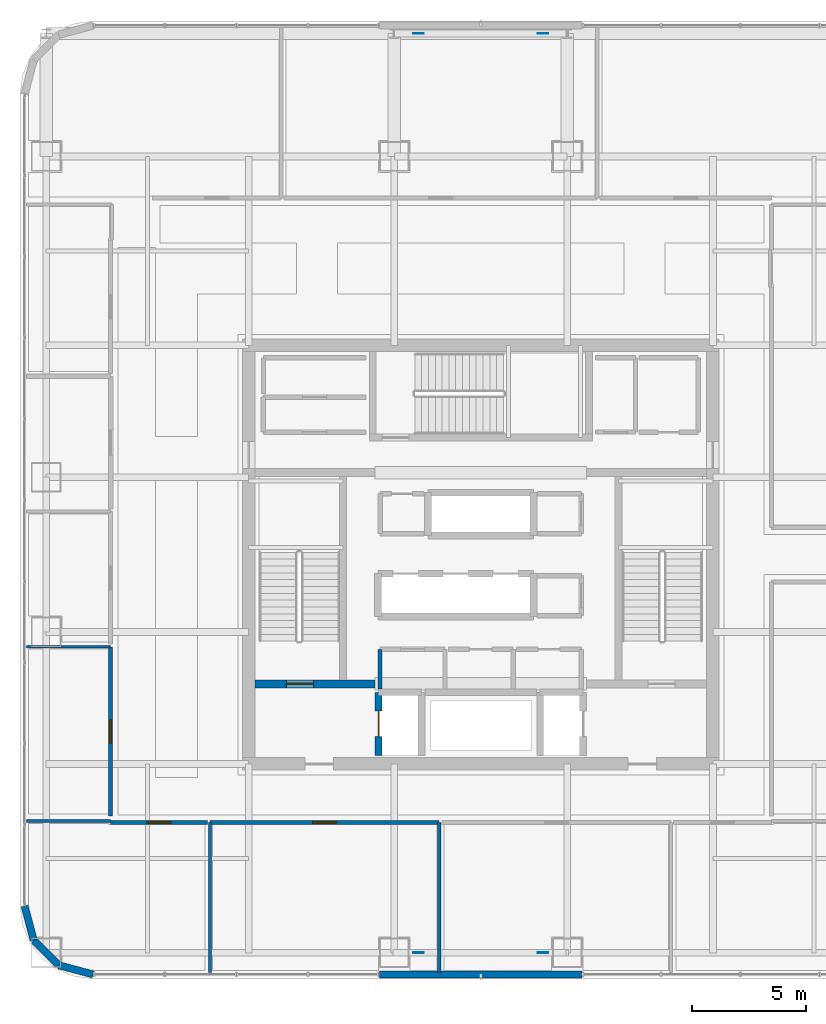
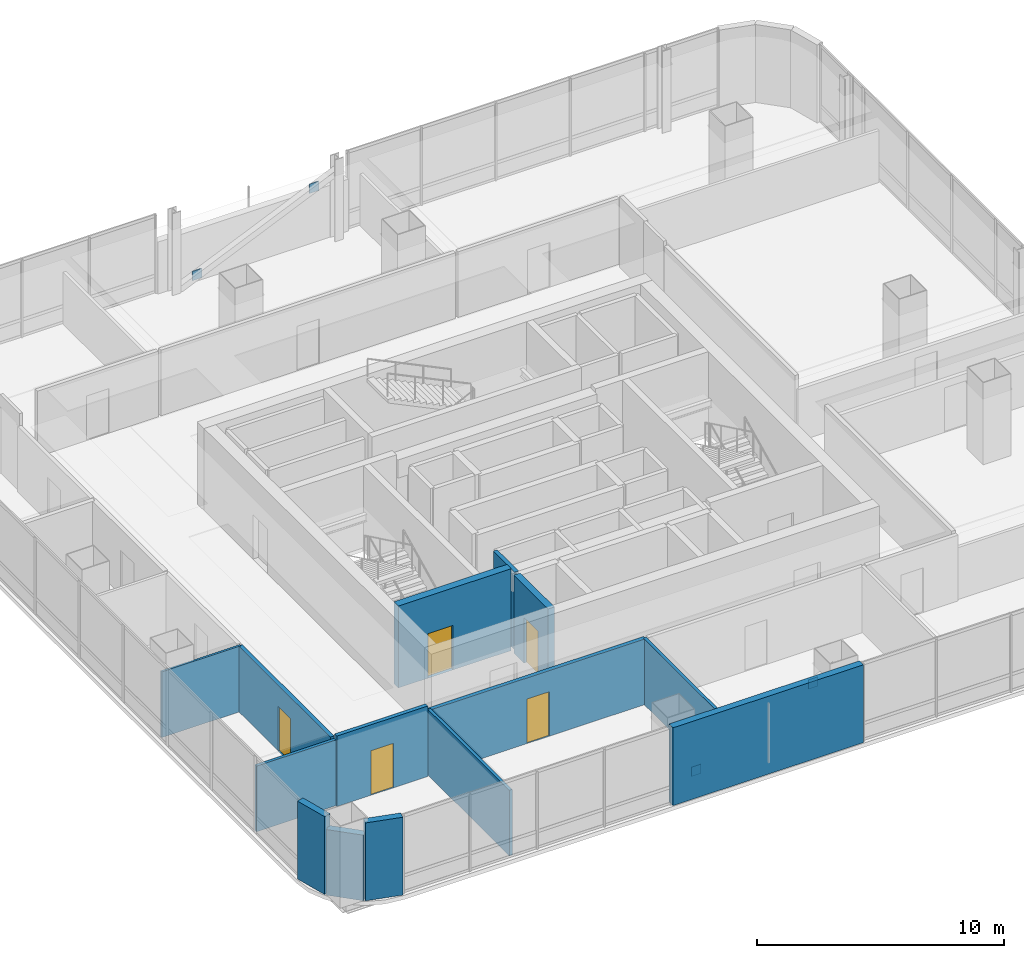
# One storey, part 31 of 44: 14 walls, 5 doors, 4 plates, 5 openings.
"""IFC4 building model written with IfcOpenShell, lengths in metres."""

from ifc_helpers import new_model, si_unit, direction, frame, frame_2d, origin, origin_2d, place, context, subcontext, project, spatial, rectangle, extrude, material, layer, layer_set, type_object, element, fill, save


model = new_model("IFC4")

# Units and contexts
model_context = context("Model", 3, precision=1e-05, world=origin(), true_north=direction((0.0, 1.0)))
body_context = subcontext(model_context, "Body", "Model", "MODEL_VIEW")
ifc_project = project(units=[si_unit("LENGTHUNIT", "METRE"), si_unit("AREAUNIT", "SQUARE_METRE"), si_unit("VOLUMEUNIT", "CUBIC_METRE"), si_unit("PLANEANGLEUNIT", "RADIAN"), si_unit("MASSUNIT", "GRAM", prefix="KILO")], contexts=[model_context])

# Site, building, storey
site_placement = place(None, origin())
site = spatial("IfcSite", under=ifc_project, at=site_placement, CompositionType="ELEMENT")
building_placement = place(site_placement, origin())
building = spatial("IfcBuilding", under=site, at=building_placement, Name="Punatoya Terracotta Tower", CompositionType="ELEMENT")
storey_placement = place(building_placement, frame((0.0, 0.0, 267.60009765625)))
storey = spatial("IfcBuildingStorey", under=building, at=storey_placement, Name="L63", CompositionType="ELEMENT", Elevation=267.60009765625)

# Plates
ifc_material_1 = material(Name="Steel S460", Category="steel")
ifc_layer_1 = layer(ifc_material_1, 0.031982421875)
ifc_layer_set_1 = layer_set([ifc_layer_1], Name="Steel S460")
plate_type = type_object("IfcPlateType", Name="PLT-END-32", PredefinedType="USERDEFINED", material=ifc_layer_set_1)
for number, where, z_axis, x_axis, name in (
    (1, (-2.736083984375, -17.5, 0.256103515625), (0.0, 0.0, 1.0), (1.0, 0.0, 0.0), "L63 Wind Brace S2 End Plate 1"),
    (2, (2.736083984375, -17.5, 2.65380859375), (0.0, 0.0, 1.0), (1.0, 0.0, 0.0), "L63 Wind Brace S2 End Plate 2"),
    (3, (-2.736083984375, 22.89990234375, 0.256103515625), (0.0, 0.0, 1.0), (1.0, 0.0, 0.0), "L63 Wind Brace N2 End Plate 1"),
    (4, (2.736083984375, 22.89990234375, 2.65380859375), (0.0, 0.0, 1.0), (1.0, 0.0, 0.0), "L63 Wind Brace N2 End Plate 2"),
):
    element("IfcPlate", number, at=place(storey_placement, frame(where, z_axis=z_axis, x_axis=x_axis)), inside=storey, type_object=plate_type, Name=name, ObjectType="FLANGE_PLATE", PredefinedType="USERDEFINED", context=body_context, shape_type="SweptSolid", body=[
        extrude(rectangle(XDim=0.4599609375, YDim=0.031982421875, at=origin_2d()), origin(), (0.0, 0.0, 1.0), 0.4599609375),
    ])

# Wall
ifc_material_2 = material(Name="Gypsum Fireboard + Steel Stud", Category="steel")
ifc_layer_2 = layer(ifc_material_2, 0.179931640625)
ifc_layer_set_2 = layer_set([ifc_layer_2], Name="Gypsum Fireboard + Steel Stud")
wall_type_1 = type_object("IfcWallType", Name="WL-CORR-180", PredefinedType="PARTITIONING", material=ifc_layer_set_2)
wall_1_placement = place(storey_placement, frame((-4.419921875, -4.159912109375, 0.0), z_axis=(0.0, 0.0, 1.0), x_axis=(0.0, -1.0, 0.0)))
element("IfcWall", 5, at=wall_1_placement, inside=storey, type_object=wall_type_1, Name="L63 Core Quiet Wellness Room Partition 03", PredefinedType="PARTITIONING", context=body_context, shape_type="SweptSolid", body=[
    extrude(rectangle(XDim=1.739990234375, YDim=0.179931640625, at=frame_2d((0.8701171875, 0.0))), origin(), (0.0, 0.0, 1.0), 3.849853515625),
])

# Wall, opening, door
wall_2_placement = place(storey_placement, frame((-11.89306640625, -11.77001953125, 0.0), z_axis=(0.0, 0.0, 1.0), x_axis=(1.0, 0.0, 0.0)))
wall_2 = element("IfcWall", 6, at=wall_2_placement, inside=storey, type_object=wall_type_1, Name="L63 Open-Plan Computational Simulation Laboratory Partition 30", PredefinedType="PARTITIONING", context=body_context, shape_type="SweptSolid", body=[
    extrude(rectangle(XDim=10.066162109375, YDim=0.179931640625, at=frame_2d((5.033203125, 0.0))), origin(), (0.0, 0.0, 1.0), 3.243896484375),
])
opening_1_placement = place(wall_2_placement, frame((4.508056640625, 0.0, 0.0)))
opening_1 = element("IfcOpeningElement", 7, at=opening_1_placement, cuts=wall_2, Name="Opening OD-01", PredefinedType="OPENING", context=body_context, shape_type="SweptSolid", body=[
    extrude(rectangle(XDim=1.050048828125, YDim=2.199951171875, at=frame_2d((0.52490234375, 1.10009765625))), frame((0.0, 0.099853515625, 0.0), z_axis=(0.0, -1.0, 0.0), x_axis=(1.0, 0.0, 0.0)), (0.0, 0.0, 1.0), 0.199951171875),
])
ifc_material_3 = material(Name="Bengal Teak Solid-Core Leaf")
door_type_1 = type_object("IfcDoorType", Name="DR-OFF-1050", OperationType="NOTDEFINED", PredefinedType="DOOR", material=ifc_material_3)
door_1_placement = place(opening_1_placement, origin())
door_1 = element("IfcDoor", 8, at=door_1_placement, inside=storey, type_object=door_type_1, Name="L63 Open-Plan Computational Simulation Laboratory Door", OperationType="SINGLE_SWING_LEFT", OverallHeight=2.199951171875, OverallWidth=1.050048828125, PredefinedType="DOOR", context=body_context, shape_type="SweptSolid", body=[
    extrude(rectangle(XDim=1.050048828125, YDim=2.199951171875, at=frame_2d((0.52490234375, 1.10009765625))), frame((0.0, 0.02490234375, 0.0), z_axis=(0.0, -1.0, 0.0), x_axis=(1.0, 0.0, 0.0)), (0.0, 0.0, 1.0), 0.050048828125),
])
fill(opening_1, door_1)

wall_3_placement = place(storey_placement, frame((-16.27001953125, -11.77001953125, 0.0), z_axis=(0.0, 0.0, 1.0), x_axis=(1.0, 0.0, 0.0)))
wall_3 = element("IfcWall", 9, at=wall_3_placement, inside=storey, type_object=wall_type_1, Name="L63 Open-Plan Materials Testing Laboratory Partition 34", PredefinedType="PARTITIONING", context=body_context, shape_type="SweptSolid", body=[
    extrude(rectangle(XDim=4.257080078125, YDim=0.179931640625, at=frame_2d((2.12841796875, 0.0))), origin(), (0.0, 0.0, 1.0), 3.48388671875),
])
opening_2_placement = place(wall_3_placement, frame((1.603515625, 0.0, 0.0)))
opening_2 = element("IfcOpeningElement", 10, at=opening_2_placement, cuts=wall_3, Name="Opening OD-01", PredefinedType="OPENING", context=body_context, shape_type="SweptSolid", body=[
    extrude(rectangle(XDim=1.050048828125, YDim=2.199951171875, at=frame_2d((0.52490234375, 1.10009765625))), frame((0.0, 0.099853515625, 0.0), z_axis=(0.0, -1.0, 0.0), x_axis=(1.0, 0.0, 0.0)), (0.0, 0.0, 1.0), 0.199951171875),
])
door_2_placement = place(opening_2_placement, origin())
door_2 = element("IfcDoor", 11, at=door_2_placement, inside=storey, type_object=door_type_1, Name="L63 Open-Plan Materials Testing Laboratory Door", OperationType="SINGLE_SWING_LEFT", OverallHeight=2.199951171875, OverallWidth=1.050048828125, PredefinedType="DOOR", context=body_context, shape_type="SweptSolid", body=[
    extrude(rectangle(XDim=1.050048828125, YDim=2.199951171875, at=frame_2d((0.52490234375, 1.10009765625))), frame((0.0, 0.02490234375, 0.0), z_axis=(0.0, -1.0, 0.0), x_axis=(1.0, 0.0, 0.0)), (0.0, 0.0, 1.0), 0.050048828125),
])
fill(opening_2, door_2)

wall_4_placement = place(storey_placement, frame((-16.27001953125, -4.050048828125, 0.0), z_axis=(0.0, 0.0, 1.0), x_axis=(0.0, -1.0, 0.0)))
wall_4 = element("IfcWall", 12, at=wall_4_placement, inside=storey, type_object=wall_type_1, Name="L63 Technical Seminar Room Partition 38", PredefinedType="PARTITIONING", context=body_context, shape_type="SweptSolid", body=[
    extrude(rectangle(XDim=7.43994140625, YDim=0.179931640625, at=frame_2d((3.719970703125, 0.0))), origin(), (0.0, 0.0, 1.0), 3.243896484375),
])
opening_3_placement = place(wall_4_placement, frame((3.2099609375, 0.0, 0.0)))
opening_3 = element("IfcOpeningElement", 13, at=opening_3_placement, cuts=wall_4, Name="Opening MD-01", PredefinedType="OPENING", context=body_context, shape_type="SweptSolid", body=[
    extrude(rectangle(XDim=1.02001953125, YDim=2.199951171875, at=frame_2d((0.510009765625, 1.10009765625))), frame((0.0, 0.099853515625, 0.0), z_axis=(0.0, -1.0, 0.0), x_axis=(1.0, 0.0, 0.0)), (0.0, 0.0, 1.0), 0.199951171875),
])
ifc_material_4 = material(Name="Aluminium + Acoustic Glass Leaf", Category="aluminium")
door_type_2 = type_object("IfcDoorType", Name="DR-MTG-1020", OperationType="NOTDEFINED", PredefinedType="DOOR", material=ifc_material_4)
door_3_placement = place(opening_3_placement, origin())
door_3 = element("IfcDoor", 14, at=door_3_placement, inside=storey, type_object=door_type_2, Name="L63 Technical Seminar Room Door", OperationType="SINGLE_SWING_LEFT", OverallHeight=2.199951171875, OverallWidth=1.02001953125, PredefinedType="DOOR", context=body_context, shape_type="SweptSolid", body=[
    extrude(rectangle(XDim=1.02001953125, YDim=2.199951171875, at=frame_2d((0.510009765625, 1.10009765625))), frame((0.0, 0.02490234375, 0.0), z_axis=(0.0, -1.0, 0.0), x_axis=(1.0, 0.0, 0.0)), (0.0, 0.0, 1.0), 0.050048828125),
])
fill(opening_3, door_3)

# Walls
ifc_material_5 = material(Name="Precast concrete C40/50", Category="concrete")
ifc_layer_3 = layer(ifc_material_5, 0.320068359375)
ifc_layer_set_3 = layer_set([ifc_layer_3], Name="Precast concrete C40/50")
wall_type_2 = type_object("IfcWallType", Name="WL-EXT-320", PredefinedType="SOLIDWALL", material=ifc_layer_set_3)
wall_5_placement = place(storey_placement, frame((-4.449951171875, -18.449951171875, 0.0), z_axis=(0.0, 0.0, 1.0), x_axis=(1.0, 0.0, 0.0)))
element("IfcWall", 15, at=wall_5_placement, inside=storey, type_object=wall_type_2, Name="L63 Terracotta Braced Facade Wall S1", PredefinedType="SOLIDWALL", context=body_context, shape_type="SweptSolid", body=[
    extrude(rectangle(XDim=8.89990234375, YDim=0.320068359375, at=frame_2d((4.449951171875, 0.0))), origin(), (0.0, 0.0, 1.0), 3.849853515625),
])
wall_6_placement = place(storey_placement, frame((-20.050048828125, -15.43701171875, 0.0), z_axis=(0.0, 0.0, 1.0), x_axis=(0.257847112249, -0.966185730957, 0.0)))
element("IfcWall", 16, at=wall_6_placement, inside=storey, type_object=wall_type_2, Name="L63 Rounded Terracotta Corner Pier 14", PredefinedType="SOLIDWALL", context=body_context, shape_type="SweptSolid", body=[
    extrude(rectangle(XDim=1.565185546875, YDim=0.320068359375, at=frame_2d((0.78271484375, 0.0))), origin(), (0.0, 0.0, 1.0), 3.849853515625),
])
wall_7_placement = place(storey_placement, frame((-19.646484375, -16.94921875, 0.0), z_axis=(0.0, 0.0, 1.0), x_axis=(0.707106781187, -0.707106781187, 0.0)))
element("IfcWall", 17, at=wall_7_placement, inside=storey, type_object=wall_type_2, Name="L63 Rounded Terracotta Corner Pier 15", PredefinedType="SOLIDWALL", context=body_context, shape_type="SweptSolid", body=[
    extrude(rectangle(XDim=1.552001953125, YDim=0.320068359375, at=frame_2d((0.77587890625, 0.0))), origin(), (0.0, 0.0, 1.0), 3.243896484375),
])
wall_8_placement = place(storey_placement, frame((-18.549072265625, -18.046630859375, 0.0), z_axis=(0.0, 0.0, 1.0), x_axis=(0.966224582397, -0.257701486942, 0.0)))
element("IfcWall", 18, at=wall_8_placement, inside=storey, type_object=wall_type_2, Name="L63 Rounded Terracotta Corner Pier 16", PredefinedType="SOLIDWALL", context=body_context, shape_type="SweptSolid", body=[
    extrude(rectangle(XDim=1.565185546875, YDim=0.320068359375, at=frame_2d((0.78271484375, 0.0))), origin(), (0.0, 0.0, 1.0), 3.849853515625),
])
ifc_material_6 = material(Name="Aluminium Framed Acoustic Glass Partition", Category="aluminium")
ifc_layer_4 = layer(ifc_material_6, 0.10009765625)
ifc_layer_set_4 = layer_set([ifc_layer_4], Name="Aluminium Framed Acoustic Glass Partition")
wall_type_3 = type_object("IfcWallType", Name="WL-GLZ-100", PredefinedType="PARTITIONING", material=ifc_layer_set_4)
wall_9_placement = place(storey_placement, frame((-19.969970703125, -4.050048828125, 0.0), z_axis=(0.0, 0.0, 1.0), x_axis=(1.0, 0.0, 0.0)))
element("IfcWall", 19, at=wall_9_placement, inside=storey, type_object=wall_type_3, Name="L63 Technical Seminar Room Partition 37", PredefinedType="PARTITIONING", context=body_context, shape_type="SweptSolid", body=[
    extrude(rectangle(XDim=3.699951171875, YDim=0.10009765625, at=frame_2d((1.85009765625, 0.0))), origin(), (0.0, 0.0, 1.0), 3.243896484375),
])
ifc_material_7 = material(Name="Acoustic Gypsum + Steel Stud", Category="steel")
ifc_layer_5 = layer(ifc_material_7, 0.139892578125)
ifc_layer_set_5 = layer_set([ifc_layer_5], Name="Acoustic Gypsum + Steel Stud")
wall_type_4 = type_object("IfcWallType", Name="WL-OFF-140", PredefinedType="PARTITIONING", material=ifc_layer_set_5)
for number, where, z_axis, x_axis, name in (
    (20, (-1.826904296875, -11.77001953125, 0.0), (0.0, 0.0, 1.0), (0.0, -1.0, 0.0), "L63 Open-Plan Computational Simulation Laboratory Partition 28"),
    (21, (-11.89306640625, -18.3701171875, 0.0), (0.0, 0.0, 1.0), (0.0, 1.0, 0.0), "L63 Open-Plan Computational Simulation Laboratory Partition 29"),
):
    element("IfcWall", number, at=place(storey_placement, frame(where, z_axis=z_axis, x_axis=x_axis)), inside=storey, type_object=wall_type_4, Name=name, PredefinedType="PARTITIONING", context=body_context, shape_type="SweptSolid", body=[
        extrude(rectangle(XDim=6.60009765625, YDim=0.139892578125, at=frame_2d((3.300048828125, 0.0))), origin(), (0.0, 0.0, 1.0), 3.243896484375),
    ])
wall_10_placement = place(storey_placement, frame((-19.969970703125, -11.7099609375, 0.0), z_axis=(0.0, 0.0, 1.0), x_axis=(1.0, 0.0, 0.0)))
element("IfcWall", 22, at=wall_10_placement, inside=storey, type_object=wall_type_4, Name="L63 Open-Plan Materials Testing Laboratory Partition 33", PredefinedType="PARTITIONING", context=body_context, shape_type="SweptSolid", body=[
    extrude(rectangle(XDim=3.699951171875, YDim=0.139892578125, at=frame_2d((1.85009765625, 0.0))), origin(), (0.0, 0.0, 1.0), 3.243896484375),
])

# Wall, opening, door
ifc_material_8 = material(Name="Concrete C40/50", Category="concrete")
ifc_layer_6 = layer(ifc_material_8, 0.300048828125)
ifc_layer_set_6 = layer_set([ifc_layer_6], Name="Concrete C40/50")
wall_type_5 = type_object("IfcWallType", Name="WL-SHF-300", PredefinedType="SOLIDWALL", material=ifc_layer_set_6)
wall_11_placement = place(storey_placement, frame((-4.489990234375, -8.820068359375, 0.0), z_axis=(0.0, 0.0, 1.0), x_axis=(0.0, 1.0, 0.0)))
wall_11 = element("IfcWall", 23, at=wall_11_placement, inside=storey, type_object=wall_type_5, Name="L63 FFL-1 Front Hoistway Wall", PredefinedType="SOLIDWALL", context=body_context, shape_type="SweptSolid", body=[
    extrude(rectangle(XDim=2.77001953125, YDim=0.300048828125, at=frame_2d((1.385009765625, 0.0))), origin(), (0.0, 0.0, 1.0), 3.849853515625),
])
opening_4_placement = place(wall_11_placement, frame((0.824951171875, 0.0, 0.0)))
opening_4 = element("IfcOpeningElement", 24, at=opening_4_placement, cuts=wall_11, Name="Opening LD-02", PredefinedType="OPENING", context=body_context, shape_type="SweptSolid", body=[
    extrude(rectangle(XDim=1.1201171875, YDim=2.25, at=frame_2d((0.56005859375, 1.125))), frame((0.0, 0.159912109375, 0.0), z_axis=(0.0, -1.0, 0.0), x_axis=(1.0, 0.0, 0.0)), (0.0, 0.0, 1.0), 0.320068359375),
])
ifc_material_9 = material(Name="Stainless Steel Lift Landing Door", Category="steel")
door_type_3 = type_object("IfcDoorType", Name="DR-LND-1120", OperationType="NOTDEFINED", PredefinedType="DOOR", material=ifc_material_9)
door_4_placement = place(opening_4_placement, origin())
door_4 = element("IfcDoor", 25, at=door_4_placement, inside=storey, type_object=door_type_3, Name="L63 Firefighting Lift FFL-1 Sliding Landing Door", OperationType="SLIDING_TO_LEFT", OverallHeight=2.25, OverallWidth=1.1201171875, PredefinedType="DOOR", context=body_context, shape_type="SweptSolid", body=[
    extrude(rectangle(XDim=1.1201171875, YDim=2.25, at=frame_2d((0.56005859375, 1.125))), frame((0.0, 0.02490234375, 0.0), z_axis=(0.0, -1.0, 0.0), x_axis=(1.0, 0.0, 0.0)), (0.0, 0.0, 1.0), 0.050048828125),
])
fill(opening_4, door_4)

ifc_material_10 = material(Name="Concrete C50/60", Category="concrete")
ifc_layer_7 = layer(ifc_material_10, 0.35009765625)
ifc_layer_set_7 = layer_set([ifc_layer_7], Name="Concrete C50/60")
wall_type_6 = type_object("IfcWallType", Name="WL-SHF-350", PredefinedType="SOLIDWALL", material=ifc_layer_set_7)
wall_12_placement = place(storey_placement, frame((-9.925048828125, -5.679931640625, 0.0), z_axis=(0.0, 0.0, 1.0), x_axis=(1.0, 0.0, 0.0)))
wall_12 = element("IfcWall", 26, at=wall_12_placement, inside=storey, type_object=wall_type_6, Name="L63 Core Web Wall CSW-L", PredefinedType="SOLIDWALL", context=body_context, shape_type="SweptSolid", body=[
    extrude(rectangle(XDim=5.275146484375, YDim=0.35009765625, at=frame_2d((2.6376953125, 0.0))), origin(), (0.0, 0.0, 1.0), 4.0498046875),
])
opening_5_placement = place(wall_12_placement, frame((1.385009765625, 0.0, 0.0)))
opening_5 = element("IfcOpeningElement", 27, at=opening_5_placement, cuts=wall_12, Name="Opening SD-01", PredefinedType="OPENING", context=body_context, shape_type="SweptSolid", body=[
    extrude(rectangle(XDim=1.179931640625, YDim=2.199951171875, at=frame_2d((0.58984375, 1.10009765625))), frame((0.0, 0.18505859375, 0.0), z_axis=(0.0, -1.0, 0.0), x_axis=(1.0, 0.0, 0.0)), (0.0, 0.0, 1.0), 0.3701171875),
])
ifc_material_11 = material(Name="Galvanised Steel Pressurized Stair Fire Door", Category="steel")
door_type_4 = type_object("IfcDoorType", Name="DR-STR-1180", OperationType="NOTDEFINED", PredefinedType="DOOR", material=ifc_material_11)
door_5_placement = place(opening_5_placement, origin())
door_5 = element("IfcDoor", 28, at=door_5_placement, inside=storey, type_object=door_type_4, Name="L63 Stair ST-1 Smokeproof Lobby Fire Door", OperationType="SINGLE_SWING_LEFT", OverallHeight=2.199951171875, OverallWidth=1.179931640625, PredefinedType="DOOR", context=body_context, shape_type="SweptSolid", body=[
    extrude(rectangle(XDim=1.179931640625, YDim=2.199951171875, at=frame_2d((0.58984375, 1.10009765625))), frame((0.0, 0.02490234375, 0.0), z_axis=(0.0, -1.0, 0.0), x_axis=(1.0, 0.0, 0.0)), (0.0, 0.0, 1.0), 0.050048828125),
])
fill(opening_5, door_5)

save(model, "model.ifc")
